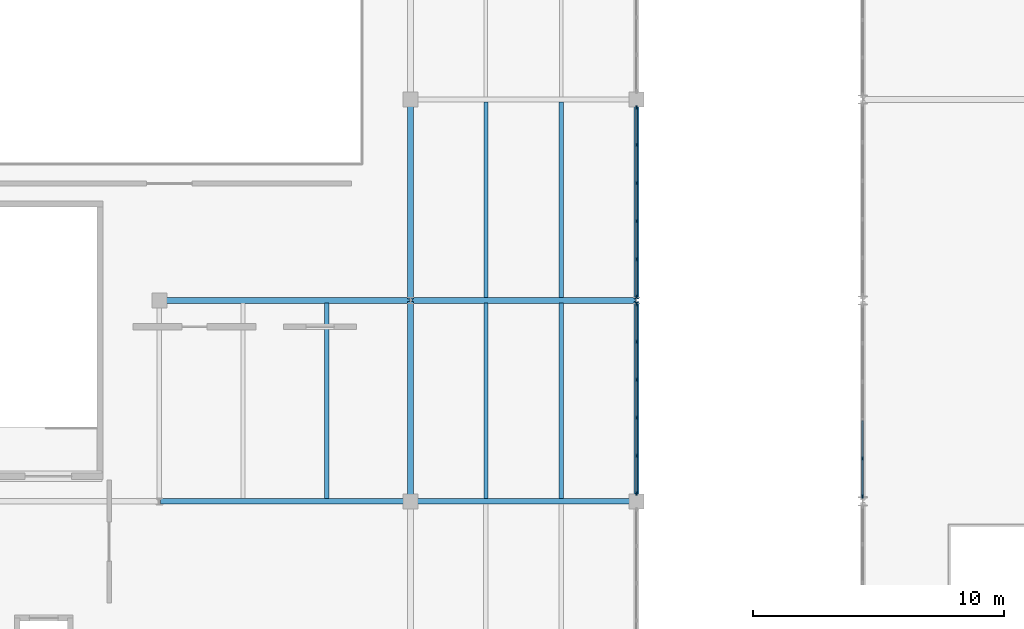
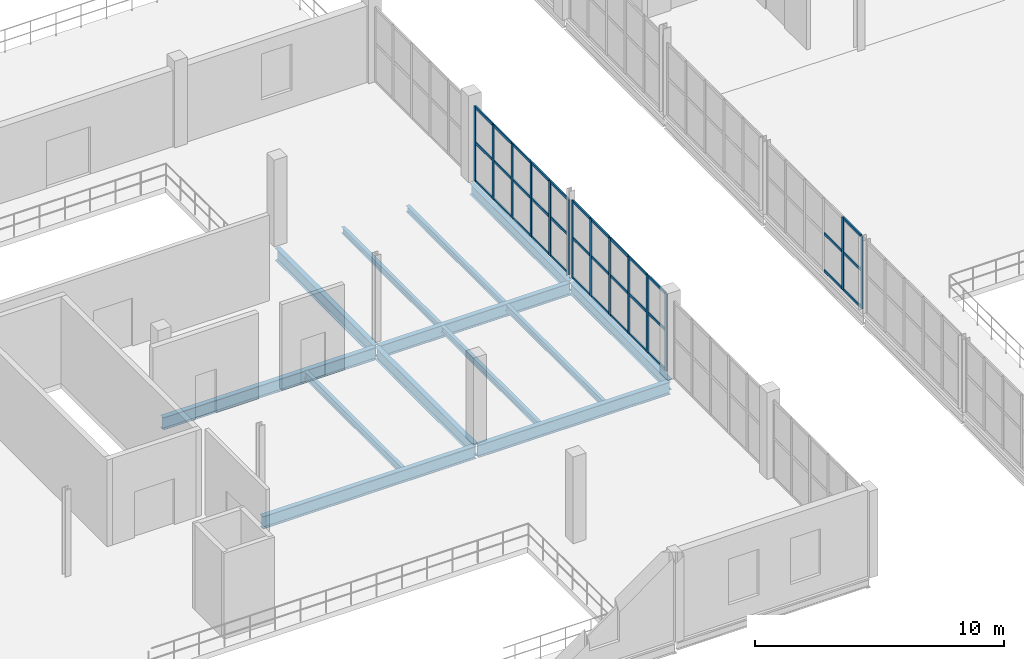
# One storey, part 16 of 73: 49 members, 13 beams, 3 elements without a shape of their own.
"""IFC4 building model written with IfcOpenShell, lengths in metres."""

import ifcopenshell
import ifcopenshell.guid

model = None  # the IFC model being written
_history = None  # IfcOwnerHistory: only IFC2X3 demands one
_inside = {}  # id of a spatial element -> (the spatial element, [elements in it])
_under = {}  # id of a project, library or spatial element -> (it, [spatial elements below it])
_declared = {}  # id of a project -> (the project, [libraries it declares])
_typed = {}  # id of a type object -> (the type object, [elements of that type])
_made_of = {}  # id of a material, layer set ... -> (it, [elements and type objects made of it])


def new_model(schema):
    """Start an empty IFC model of exactly this schema.

    Asked for "IFC4X3", IfcOpenShell would pick the latest addendum, in which some entities
    have other attributes; the version numbers below select the first issue.
    IFC2X3 requires an IfcOwnerHistory on every rooted entity: one is made here for all.
    """
    global model, _history
    if schema == "IFC4X3":
        model = ifcopenshell.file(schema_version=(4, 3, 0, 0))
    else:
        model = ifcopenshell.file(schema=schema)
    _inside.clear()
    _under.clear()
    _declared.clear()
    _typed.clear()
    _made_of.clear()
    _history = None
    if model.schema == "IFC2X3":
        org = make("IfcOrganization", Name="unknown")
        user = make(
            "IfcPersonAndOrganization",
            ThePerson=make("IfcPerson", FamilyName="unknown"),
            TheOrganization=org,
        )
        app = make(
            "IfcApplication",
            ApplicationDeveloper=org,
            Version="unknown",
            ApplicationFullName="unknown",
            ApplicationIdentifier="unknown",
        )
        _history = make(
            "IfcOwnerHistory",
            OwningUser=user,
            OwningApplication=app,
            ChangeAction="ADDED",
            CreationDate=0,
        )
    return model


def make(cls, **values):
    """One entity of the class cls with the attributes given. An attribute that is None is left unset."""
    return model.create_entity(
        cls, **{name: value for name, value in values.items() if value is not None}
    )


def rooted(cls, **values):
    """An entity with a GlobalId (a new one), such as an element, a storey or a relation."""
    return make(cls, GlobalId=ifcopenshell.guid.new(), OwnerHistory=_history, **values)


def si_unit(unit_type, name, prefix=None):
    """IfcSIUnit, for example si_unit("LENGTHUNIT", "METRE", prefix="MILLI")."""
    return make("IfcSIUnit", UnitType=unit_type, Prefix=prefix, Name=name)


def assignment(units):
    """IfcUnitAssignment: the units of a project."""
    return None if units is None else make("IfcUnitAssignment", Units=units)


def point(xyz):
    """IfcCartesianPoint."""
    return None if xyz is None else make("IfcCartesianPoint", Coordinates=xyz)


def direction(xyz):
    """IfcDirection."""
    return None if xyz is None else make("IfcDirection", DirectionRatios=xyz)


def frame(location, z_axis=None, x_axis=None):
    """IfcAxis2Placement3D, a coordinate frame: its origin and axes. An axis left out is left unset."""
    return make(
        "IfcAxis2Placement3D",
        Location=point(location),
        Axis=direction(z_axis),
        RefDirection=direction(x_axis),
    )


def frame_2d(location, x_axis=None):
    """IfcAxis2Placement2D, a coordinate frame in the plane: its origin and x axis."""
    return make(
        "IfcAxis2Placement2D", Location=point(location), RefDirection=direction(x_axis)
    )


def origin():
    """The frame at (0, 0, 0) with its axes left unset."""
    return frame((0.0, 0.0, 0.0))


def origin_2d():
    """The frame at (0, 0) in the plane with its x axis left unset."""
    return frame_2d((0.0, 0.0))


def place(relative_to, where):
    """IfcLocalPlacement: puts the frame where relative to a parent placement (None: the world)."""
    return make(
        "IfcLocalPlacement", PlacementRelTo=relative_to, RelativePlacement=where
    )


def context(
    kind, dimensions, precision=None, world=None, true_north=None, identifier=None
):
    """IfcGeometricRepresentationContext, for example the 3D "Model" context."""
    return make(
        "IfcGeometricRepresentationContext",
        ContextIdentifier=identifier,
        ContextType=kind,
        CoordinateSpaceDimension=dimensions,
        Precision=precision,
        WorldCoordinateSystem=world,
        TrueNorth=true_north,
    )


def subcontext(parent, identifier, kind, view, scale=None):
    """IfcGeometricRepresentationSubContext, for example "Body" below "Model"."""
    return make(
        "IfcGeometricRepresentationSubContext",
        ContextIdentifier=identifier,
        ContextType=kind,
        ParentContext=parent,
        TargetScale=scale,
        TargetView=view,
    )


def project(units=None, contexts=None):
    """IfcProject with its units and contexts."""
    return rooted(
        "IfcProject",
        Name="project",
        RepresentationContexts=contexts,
        UnitsInContext=assignment(units),
    )


def spatial(cls, under=None, at=None, **own):
    """A site, building, storey or space (cls), placed at a placement, below another one or the project."""
    s = rooted(cls, ObjectPlacement=at, **own)
    if under is not None:
        _under.setdefault(under.id(), (under, []))[1].append(s)
    return s


def profile(cls, at=None, kind="AREA", **sizes):
    """A parametric profile (cls). Its sizes go by their IFC names, for example OverallWidth=200.0."""
    return make(cls, ProfileType=kind, Position=at, **sizes)


def rectangle(**sizes):
    """IfcRectangleProfileDef."""
    return profile("IfcRectangleProfileDef", **sizes)


def i_section(**sizes):
    """IfcIShapeProfileDef."""
    return profile("IfcIShapeProfileDef", **sizes)


def extrude(swept, where, along, depth):
    """IfcExtrudedAreaSolid: the profile swept, set in the frame where, extruded along a direction by depth."""
    return make(
        "IfcExtrudedAreaSolid",
        SweptArea=swept,
        Position=where,
        ExtrudedDirection=direction(along),
        Depth=depth,
    )


def shape(context_of_items, identifier, shape_type, items):
    """IfcShapeRepresentation: the items that make up one representation, for example the "Body"."""
    return make(
        "IfcShapeRepresentation",
        ContextOfItems=context_of_items,
        RepresentationIdentifier=identifier,
        RepresentationType=shape_type,
        Items=items,
    )


def material(Name=None, Category=None):
    """IfcMaterial."""
    return make("IfcMaterial", Name=Name, Category=Category)


def layer(
    of_material, thickness, ventilated=None, Name=None, Category=None, Priority=None
):
    """IfcMaterialLayer: one layer of a wall or slab, of a material (None: an air gap)."""
    return make(
        "IfcMaterialLayer",
        Material=of_material,
        LayerThickness=thickness,
        IsVentilated=ventilated,
        Name=Name,
        Category=Category,
        Priority=Priority,
    )


def layer_set(layers, Name=None):
    """IfcMaterialLayerSet."""
    return make("IfcMaterialLayerSet", MaterialLayers=layers, LayerSetName=Name)


def material_profile(
    of_material, cross_section, Name=None, Category=None, Priority=None
):
    """IfcMaterialProfile: a cross section and its material."""
    return make(
        "IfcMaterialProfile",
        Name=Name,
        Material=of_material,
        Profile=cross_section,
        Priority=Priority,
        Category=Category,
    )


def profile_set(profiles, Name=None, composite=None):
    """IfcMaterialProfileSet."""
    return make(
        "IfcMaterialProfileSet",
        Name=Name,
        MaterialProfiles=profiles,
        CompositeProfile=composite,
    )


def made_of(thing, what):
    """Note that an element or type object is made of a material, layer set ...; save() writes the relation."""
    if what is not None:
        _made_of.setdefault(what.id(), (what, []))[1].append(thing)
    return thing


def type_object(cls, material=None, **own):
    """A type object (cls), such as IfcWallType, which elements share."""
    return made_of(rooted(cls, **own), material)


def element(
    cls,
    number,
    at=None,
    inside=None,
    cuts=None,
    type_object=None,
    material=None,
    context=None,
    identifier="Body",
    shape_type=None,
    held_by="IfcProductDefinitionShape",
    body=None,
    shapes=None,
    **own,
):
    """One element of the class cls, such as IfcWall. Its Tag is "e" and its number.

    at: its placement. inside: the storey or other place that contains it. cuts: it is an
    opening in that element (IfcRelVoidsElement). A single representation is given by context,
    identifier, shape_type and body (its items); several are given by shapes. held_by: the class
    of the entity that holds the representations. save() writes the other relations.
    """
    e = rooted(cls, Tag="e%d" % number, ObjectPlacement=at, **own)
    if body is not None:
        shapes = [shape(context, identifier, shape_type, body)]
    if shapes is not None:
        e.Representation = make(held_by, Representations=shapes)
    if inside is not None:
        _inside.setdefault(inside.id(), (inside, []))[1].append(e)
    if cuts is not None:
        rooted(
            "IfcRelVoidsElement", RelatingBuildingElement=cuts, RelatedOpeningElement=e
        )
    if type_object is not None:
        _typed.setdefault(type_object.id(), (type_object, []))[1].append(e)
    return made_of(e, material)


def aggregate(whole, parts):
    """IfcRelAggregates: a whole, such as a stair, and the parts it consists of."""
    return rooted("IfcRelAggregates", RelatingObject=whole, RelatedObjects=parts)


def save(model, path):
    """Write the relations noted so far, then the file.

    IfcRelAggregates (storeys below a building ...), IfcRelContainedInSpatialStructure (elements
    in a storey), IfcRelDefinesByType, IfcRelAssociatesMaterial and IfcRelDeclares: one each for
    every whole, place, type object, material and project.
    """
    for whole, parts in _under.values():
        aggregate(whole, parts)
    for where, things in _inside.values():
        rooted(
            "IfcRelContainedInSpatialStructure",
            RelatedElements=things,
            RelatingStructure=where,
        )
    for kind, things in _typed.values():
        rooted("IfcRelDefinesByType", RelatedObjects=things, RelatingType=kind)
    for what, things in _made_of.values():
        rooted("IfcRelAssociatesMaterial", RelatedObjects=things, RelatingMaterial=what)
    for by, libraries in _declared.values():
        rooted("IfcRelDeclares", RelatingContext=by, RelatedDefinitions=libraries)
    model.write(path)


model = new_model("IFC4")

# Units and contexts
model_context = context("Model", 3, precision=1e-05, world=origin(), true_north=direction((0.0, 1.0)))
body_context = subcontext(model_context, "Body", "Model", "MODEL_VIEW")
ifc_project = project(units=[si_unit("LENGTHUNIT", "METRE"), si_unit("AREAUNIT", "SQUARE_METRE"), si_unit("VOLUMEUNIT", "CUBIC_METRE"), si_unit("PLANEANGLEUNIT", "RADIAN"), si_unit("MASSUNIT", "GRAM", prefix="KILO")], contexts=[model_context])

# Site, building, storey
site_placement = place(None, origin())
site = spatial("IfcSite", under=ifc_project, at=site_placement, CompositionType="ELEMENT")
building_placement = place(site_placement, origin())
building = spatial("IfcBuilding", under=site, at=building_placement, Name="Marnock Terrace Opera House", CompositionType="ELEMENT")
storey_placement = place(building_placement, frame((0.0, 0.0, 14.699951171875)))
storey = spatial("IfcBuildingStorey", under=building, at=storey_placement, Name="L03", CompositionType="ELEMENT", Elevation=14.699951171875)

# Beams
ifc_material_1 = material(Name="Steel Grade 350 (AS/NZS 3679.1)", Category="steel")
ifc_material_profile_1 = material_profile(ifc_material_1, i_section(OverallWidth=0.208984375, OverallDepth=0.528076171875, WebThickness=0.009521484375, FlangeThickness=0.01318359375, FilletRadius=0.013916015625, at=origin_2d()))
ifc_profile_set_1 = profile_set([ifc_material_profile_1], Name="Steel Grade 350 (AS/NZS 3679.1)")
beam_type_1 = type_object("IfcBeamType", Name="BM-GIRD-530B", PredefinedType="BEAM", material=ifc_profile_set_1)
for number, where, z_axis, x_axis, name in (
    (1, (46.0, 24.050048828125, -0.52392578125), (0.0, 1.0, 0.0), (-1.0, 0.0, 0.0), "L03 girder (X=46.0, 24.0..32.0)"),
    (2, (46.0, 32.050048828125, -0.52392578125), (0.0, 1.0, 0.0), (-1.0, 0.0, 0.0), "L03 girder (X=46.0, 32.0..40.0)"),
):
    element("IfcBeam", number, at=place(storey_placement, frame(where, z_axis=z_axis, x_axis=x_axis)), inside=storey, type_object=beam_type_1, Name=name, PredefinedType="BEAM", context=body_context, shape_type="SweptSolid", body=[
        extrude(i_section(OverallWidth=0.208984375, OverallDepth=0.528076171875, WebThickness=0.009521484375, FlangeThickness=0.01318359375, FilletRadius=0.013916015625, at=origin_2d()), origin(), (0.0, 0.0, 1.0), 7.89990234375),
    ])
ifc_material_profile_2 = material_profile(ifc_material_1, i_section(OverallWidth=0.22900390625, OverallDepth=0.611572265625, WebThickness=0.011962890625, FlangeThickness=0.01953125, FilletRadius=0.013916015625, at=origin_2d()))
ifc_profile_set_2 = profile_set([ifc_material_profile_2], Name="Steel Grade 350 (AS/NZS 3679.1)")
beam_type_2 = type_object("IfcBeamType", Name="BM-GIRD-610A", PredefinedType="BEAM", material=ifc_profile_set_2)
beam_1_placement = place(storey_placement, frame((27.050048828125, 24.0, -0.565673828125), z_axis=(1.0, 0.0, 0.0), x_axis=(0.0, 1.0, 0.0)))
element("IfcBeam", 3, at=beam_1_placement, inside=storey, type_object=beam_type_2, Name="L03 girder (27.0..37.0, Y=24.0)", PredefinedType="BEAM", context=body_context, shape_type="SweptSolid", body=[
    extrude(i_section(OverallWidth=0.22900390625, OverallDepth=0.611572265625, WebThickness=0.011962890625, FlangeThickness=0.01953125, FilletRadius=0.013916015625, at=origin_2d()), origin(), (0.0, 0.0, 1.0), 9.89990234375),
])
beam_2_placement = place(storey_placement, frame((37.050048828125, 24.0, -0.565673828125), z_axis=(1.0, 0.0, 0.0), x_axis=(0.0, 1.0, 0.0)))
element("IfcBeam", 4, at=beam_2_placement, inside=storey, type_object=beam_type_2, Name="L03 girder (37.0..46.0, Y=24.0)", PredefinedType="BEAM", context=body_context, shape_type="SweptSolid", body=[
    extrude(i_section(OverallWidth=0.22900390625, OverallDepth=0.611572265625, WebThickness=0.011962890625, FlangeThickness=0.01953125, FilletRadius=0.013916015625, at=origin_2d()), origin(), (0.0, 0.0, 1.0), 8.89990234375),
])
ifc_material_profile_3 = material_profile(ifc_material_1, i_section(OverallWidth=0.22802734375, OverallDepth=0.60693359375, WebThickness=0.01123046875, FlangeThickness=0.017333984375, FilletRadius=0.013916015625, at=origin_2d()))
ifc_profile_set_3 = profile_set([ifc_material_profile_3], Name="Steel Grade 350 (AS/NZS 3679.1)")
beam_type_3 = type_object("IfcBeamType", Name="BM-GIRD-610B", PredefinedType="BEAM", material=ifc_profile_set_3)
beam_3_placement = place(storey_placement, frame((27.050048828125, 32.0, -0.5634765625), z_axis=(1.0, 0.0, 0.0), x_axis=(0.0, 1.0, 0.0)))
element("IfcBeam", 5, at=beam_3_placement, inside=storey, type_object=beam_type_3, Name="L03 girder (27.0..37.0, Y=32.0)", PredefinedType="BEAM", context=body_context, shape_type="SweptSolid", body=[
    extrude(i_section(OverallWidth=0.22802734375, OverallDepth=0.60693359375, WebThickness=0.01123046875, FlangeThickness=0.017333984375, FilletRadius=0.013916015625, at=origin_2d()), origin(), (0.0, 0.0, 1.0), 9.89990234375),
])
beam_4_placement = place(storey_placement, frame((37.050048828125, 32.0, -0.5634765625), z_axis=(1.0, 0.0, 0.0), x_axis=(0.0, 1.0, 0.0)))
element("IfcBeam", 6, at=beam_4_placement, inside=storey, type_object=beam_type_3, Name="L03 girder (37.0..46.0, Y=32.0)", PredefinedType="BEAM", context=body_context, shape_type="SweptSolid", body=[
    extrude(i_section(OverallWidth=0.22802734375, OverallDepth=0.60693359375, WebThickness=0.01123046875, FlangeThickness=0.017333984375, FilletRadius=0.013916015625, at=origin_2d()), origin(), (0.0, 0.0, 1.0), 8.89990234375),
])
ifc_material_profile_4 = material_profile(ifc_material_1, i_section(OverallWidth=0.22802734375, OverallDepth=0.60205078125, WebThickness=0.010498046875, FlangeThickness=0.014892578125, FilletRadius=0.013916015625, at=origin_2d()))
ifc_profile_set_4 = profile_set([ifc_material_profile_4], Name="Steel Grade 350 (AS/NZS 3679.1)")
beam_type_4 = type_object("IfcBeamType", Name="BM-GIRD-610C", PredefinedType="BEAM", material=ifc_profile_set_4)
for number, where, z_axis, x_axis, name in (
    (7, (37.0, 24.050048828125, -0.56103515625), (0.0, 1.0, 0.0), (-1.0, 0.0, 0.0), "L03 girder (X=37.0, 24.0..32.0)"),
    (8, (37.0, 32.050048828125, -0.56103515625), (0.0, 1.0, 0.0), (-1.0, 0.0, 0.0), "L03 girder (X=37.0, 32.0..40.0)"),
):
    element("IfcBeam", number, at=place(storey_placement, frame(where, z_axis=z_axis, x_axis=x_axis)), inside=storey, type_object=beam_type_4, Name=name, PredefinedType="BEAM", context=body_context, shape_type="SweptSolid", body=[
        extrude(i_section(OverallWidth=0.22802734375, OverallDepth=0.60205078125, WebThickness=0.010498046875, FlangeThickness=0.014892578125, FilletRadius=0.013916015625, at=origin_2d()), origin(), (0.0, 0.0, 1.0), 7.89990234375),
    ])
ifc_material_profile_5 = material_profile(ifc_material_1, i_section(OverallWidth=0.166015625, OverallDepth=0.30712890625, WebThickness=0.006591796875, FlangeThickness=0.01171875, FilletRadius=0.011474609375, at=origin_2d()))
ifc_profile_set_5 = profile_set([ifc_material_profile_5], Name="Steel Grade 350 (AS/NZS 3679.1)")
beam_type_5 = type_object("IfcBeamType", Name="BM-JOIST-310A", PredefinedType="JOIST", material=ifc_profile_set_5)
for number, where, z_axis, x_axis, name in (
    (9, (40.0, 24.109619140625, -0.41357421875), (0.0, 1.0, 0.0), (-1.0, 0.0, 0.0), "L03 secondary joist 4.3.1"),
    (10, (43.0, 24.109619140625, -0.41357421875), (0.0, 1.0, 0.0), (-1.0, 0.0, 0.0), "L03 secondary joist 4.3.2"),
):
    element("IfcBeam", number, at=place(storey_placement, frame(where, z_axis=z_axis, x_axis=x_axis)), inside=storey, type_object=beam_type_5, Name=name, PredefinedType="JOIST", context=body_context, shape_type="SweptSolid", body=[
        extrude(i_section(OverallWidth=0.166015625, OverallDepth=0.30712890625, WebThickness=0.006591796875, FlangeThickness=0.01171875, FilletRadius=0.011474609375, at=origin_2d()), origin(), (0.0, 0.0, 1.0), 7.781494140625),
    ])
ifc_material_profile_6 = material_profile(ifc_material_1, i_section(OverallWidth=0.1650390625, OverallDepth=0.3037109375, WebThickness=0.006103515625, FlangeThickness=0.01025390625, FilletRadius=0.011474609375, at=origin_2d()))
ifc_profile_set_6 = profile_set([ifc_material_profile_6], Name="Steel Grade 350 (AS/NZS 3679.1)")
beam_type_6 = type_object("IfcBeamType", Name="BM-JOIST-310B", PredefinedType="JOIST", material=ifc_profile_set_6)
for number, where, z_axis, x_axis, name in (
    (11, (40.0, 32.10888671875, -0.411865234375), (0.0, 1.0, 0.0), (-1.0, 0.0, 0.0), "L03 secondary joist 4.4.1"),
    (12, (43.0, 32.10888671875, -0.411865234375), (0.0, 1.0, 0.0), (-1.0, 0.0, 0.0), "L03 secondary joist 4.4.2"),
):
    element("IfcBeam", number, at=place(storey_placement, frame(where, z_axis=z_axis, x_axis=x_axis)), inside=storey, type_object=beam_type_6, Name=name, PredefinedType="JOIST", context=body_context, shape_type="SweptSolid", body=[
        extrude(i_section(OverallWidth=0.1650390625, OverallDepth=0.3037109375, WebThickness=0.006103515625, FlangeThickness=0.01025390625, FilletRadius=0.011474609375, at=origin_2d()), origin(), (0.0, 0.0, 1.0), 7.79150390625),
    ])
ifc_material_profile_7 = material_profile(ifc_material_1, i_section(OverallWidth=0.172119140625, OverallDepth=0.358642578125, WebThickness=0.008056640625, FlangeThickness=0.012939453125, FilletRadius=0.011474609375, at=origin_2d()))
ifc_profile_set_7 = profile_set([ifc_material_profile_7], Name="Steel Grade 350 (AS/NZS 3679.1)")
beam_type_7 = type_object("IfcBeamType", Name="BM-JOIST-360", PredefinedType="JOIST", material=ifc_profile_set_7)
beam_5_placement = place(storey_placement, frame((33.666748046875, 24.109619140625, -0.439208984375), z_axis=(0.0, 1.0, 0.0), x_axis=(-1.0, 0.0, 0.0)))
element("IfcBeam", 13, at=beam_5_placement, inside=storey, type_object=beam_type_7, Name="L03 secondary joist 3.3.2", PredefinedType="JOIST", context=body_context, shape_type="SweptSolid", body=[
    extrude(i_section(OverallWidth=0.172119140625, OverallDepth=0.358642578125, WebThickness=0.008056640625, FlangeThickness=0.012939453125, FilletRadius=0.011474609375, at=origin_2d()), origin(), (0.0, 0.0, 1.0), 7.781494140625),
])

# Curtain wall, members
ifc_material_2 = material(Name="Anodised architectural bronze aluminium framing", Category="aluminium")
ifc_layer_1 = layer(ifc_material_2, 0.159912109375)
ifc_layer_set_1 = layer_set([ifc_layer_1], Name="Anodised architectural bronze aluminium framing")
curtain_wall_type_1 = type_object("IfcCurtainWallType", Name="CW-FOYER-80x42", PredefinedType="NOTDEFINED", material=ifc_layer_set_1)
curtain_wall_1_placement = place(storey_placement, origin())
curtain_wall_1 = element("IfcCurtainWall", 14, at=curtain_wall_1_placement, inside=storey, type_object=curtain_wall_type_1, Name="L03 glazed Beaux-Arts colonnade curtain wall CW-V1W-L03-03", PredefinedType="NOTDEFINED")
ifc_material_profile_8 = material_profile(ifc_material_2, rectangle(XDim=0.06005859375, YDim=0.14990234375, at=origin_2d()))
ifc_profile_set_8 = profile_set([ifc_material_profile_8], Name="Anodised architectural bronze aluminium framing")
member_type_1 = type_object("IfcMemberType", Name="CWM-60x150", PredefinedType="MULLION", material=ifc_profile_set_8)
member_1_placement = place(storey_placement, frame((55.0, 24.200927734375, 0.0), z_axis=(0.0, 0.0, 1.0), x_axis=(-1.0, 0.0, 0.0)))
member_1 = element("IfcMember", 15, at=member_1_placement, type_object=member_type_1, Name="CW-62 mullion 1", PredefinedType="MULLION", context=body_context, shape_type="SweptSolid", body=[
    extrude(rectangle(XDim=0.06005859375, YDim=0.14990234375, at=origin_2d()), origin(), (0.0, 0.0, 1.0), 3.546142578125),
])
member_2_placement = place(storey_placement, frame((55.0, 25.70263671875, 0.0), z_axis=(0.0, 0.0, 1.0), x_axis=(-1.0, 0.0, 0.0)))
member_2 = element("IfcMember", 16, at=member_2_placement, type_object=member_type_1, Name="CW-62 mullion 2", PredefinedType="MULLION", context=body_context, shape_type="SweptSolid", body=[
    extrude(rectangle(XDim=0.06005859375, YDim=0.14990234375, at=origin_2d()), origin(), (0.0, 0.0, 1.0), 3.546142578125),
])

ifc_layer_2 = layer(ifc_material_2, 0.159912109375)
ifc_layer_set_2 = layer_set([ifc_layer_2], Name="Anodised architectural bronze aluminium framing")
curtain_wall_type_2 = type_object("IfcCurtainWallType", Name="CW-COURT-80x42", PredefinedType="NOTDEFINED", material=ifc_layer_set_2)
curtain_wall_2_placement = place(storey_placement, origin())
curtain_wall_2 = element("IfcCurtainWall", 17, at=curtain_wall_2_placement, inside=storey, type_object=curtain_wall_type_2, Name="L03 glazed Beaux-Arts colonnade curtain wall CW-V3E-L03-03", PredefinedType="NOTDEFINED")
member_3_placement = place(storey_placement, frame((46.0, 24.325927734375, 0.0), z_axis=(0.0, 0.0, 1.0), x_axis=(-1.0, 0.0, 0.0)))
member_3 = element("IfcMember", 18, at=member_3_placement, type_object=member_type_1, Name="CW-12 mullion 1", PredefinedType="MULLION", context=body_context, shape_type="SweptSolid", body=[
    extrude(rectangle(XDim=0.06005859375, YDim=0.14990234375, at=origin_2d()), origin(), (0.0, 0.0, 1.0), 3.804443359375),
])
member_4_placement = place(storey_placement, frame((46.0, 25.8115234375, 0.0), z_axis=(0.0, 0.0, 1.0), x_axis=(-1.0, 0.0, 0.0)))
member_4 = element("IfcMember", 19, at=member_4_placement, type_object=member_type_1, Name="CW-12 mullion 2", PredefinedType="MULLION", context=body_context, shape_type="SweptSolid", body=[
    extrude(rectangle(XDim=0.06005859375, YDim=0.14990234375, at=origin_2d()), origin(), (0.0, 0.0, 1.0), 3.804443359375),
])
member_5_placement = place(storey_placement, frame((46.0, 27.3271484375, 0.0), z_axis=(0.0, 0.0, 1.0), x_axis=(-1.0, 0.0, 0.0)))
member_5 = element("IfcMember", 20, at=member_5_placement, type_object=member_type_1, Name="CW-12 mullion 3", PredefinedType="MULLION", context=body_context, shape_type="SweptSolid", body=[
    extrude(rectangle(XDim=0.06005859375, YDim=0.14990234375, at=origin_2d()), origin(), (0.0, 0.0, 1.0), 3.804443359375),
])
member_6_placement = place(storey_placement, frame((46.0, 28.8427734375, 0.0), z_axis=(0.0, 0.0, 1.0), x_axis=(-1.0, 0.0, 0.0)))
member_6 = element("IfcMember", 21, at=member_6_placement, type_object=member_type_1, Name="CW-12 mullion 4", PredefinedType="MULLION", context=body_context, shape_type="SweptSolid", body=[
    extrude(rectangle(XDim=0.06005859375, YDim=0.14990234375, at=origin_2d()), origin(), (0.0, 0.0, 1.0), 3.804443359375),
])
member_7_placement = place(storey_placement, frame((46.0, 30.3583984375, 0.0), z_axis=(0.0, 0.0, 1.0), x_axis=(-1.0, 0.0, 0.0)))
member_7 = element("IfcMember", 22, at=member_7_placement, type_object=member_type_1, Name="CW-12 mullion 5", PredefinedType="MULLION", context=body_context, shape_type="SweptSolid", body=[
    extrude(rectangle(XDim=0.06005859375, YDim=0.14990234375, at=origin_2d()), origin(), (0.0, 0.0, 1.0), 3.804443359375),
])
member_8_placement = place(storey_placement, frame((46.0, 31.843994140625, 0.0), z_axis=(0.0, 0.0, 1.0), x_axis=(-1.0, 0.0, 0.0)))
member_8 = element("IfcMember", 23, at=member_8_placement, type_object=member_type_1, Name="CW-12 mullion 6", PredefinedType="MULLION", context=body_context, shape_type="SweptSolid", body=[
    extrude(rectangle(XDim=0.06005859375, YDim=0.14990234375, at=origin_2d()), origin(), (0.0, 0.0, 1.0), 3.804443359375),
])

curtain_wall_3_placement = place(storey_placement, origin())
curtain_wall_3 = element("IfcCurtainWall", 24, at=curtain_wall_3_placement, inside=storey, type_object=curtain_wall_type_2, Name="L03 glazed Beaux-Arts colonnade curtain wall CW-V3E-L03-04", PredefinedType="NOTDEFINED")
member_9_placement = place(storey_placement, frame((46.0, 32.156005859375, 0.0), z_axis=(0.0, 0.0, 1.0), x_axis=(-1.0, 0.0, 0.0)))
member_9 = element("IfcMember", 25, at=member_9_placement, type_object=member_type_1, Name="CW-12 mullion 1", PredefinedType="MULLION", context=body_context, shape_type="SweptSolid", body=[
    extrude(rectangle(XDim=0.06005859375, YDim=0.14990234375, at=origin_2d()), origin(), (0.0, 0.0, 1.0), 3.672119140625),
])
member_10_placement = place(storey_placement, frame((46.0, 33.6416015625, 0.0), z_axis=(0.0, 0.0, 1.0), x_axis=(-1.0, 0.0, 0.0)))
member_10 = element("IfcMember", 26, at=member_10_placement, type_object=member_type_1, Name="CW-12 mullion 2", PredefinedType="MULLION", context=body_context, shape_type="SweptSolid", body=[
    extrude(rectangle(XDim=0.06005859375, YDim=0.14990234375, at=origin_2d()), origin(), (0.0, 0.0, 1.0), 3.672119140625),
])
member_11_placement = place(storey_placement, frame((46.0, 35.1572265625, 0.0), z_axis=(0.0, 0.0, 1.0), x_axis=(-1.0, 0.0, 0.0)))
member_11 = element("IfcMember", 27, at=member_11_placement, type_object=member_type_1, Name="CW-12 mullion 3", PredefinedType="MULLION", context=body_context, shape_type="SweptSolid", body=[
    extrude(rectangle(XDim=0.06005859375, YDim=0.14990234375, at=origin_2d()), origin(), (0.0, 0.0, 1.0), 3.672119140625),
])
member_12_placement = place(storey_placement, frame((46.0, 36.6728515625, 0.0), z_axis=(0.0, 0.0, 1.0), x_axis=(-1.0, 0.0, 0.0)))
member_12 = element("IfcMember", 28, at=member_12_placement, type_object=member_type_1, Name="CW-12 mullion 4", PredefinedType="MULLION", context=body_context, shape_type="SweptSolid", body=[
    extrude(rectangle(XDim=0.06005859375, YDim=0.14990234375, at=origin_2d()), origin(), (0.0, 0.0, 1.0), 3.672119140625),
])
member_13_placement = place(storey_placement, frame((46.0, 38.1884765625, 0.0), z_axis=(0.0, 0.0, 1.0), x_axis=(-1.0, 0.0, 0.0)))
member_13 = element("IfcMember", 29, at=member_13_placement, type_object=member_type_1, Name="CW-12 mullion 5", PredefinedType="MULLION", context=body_context, shape_type="SweptSolid", body=[
    extrude(rectangle(XDim=0.06005859375, YDim=0.14990234375, at=origin_2d()), origin(), (0.0, 0.0, 1.0), 3.672119140625),
])
member_14_placement = place(storey_placement, frame((46.0, 39.674072265625, 0.0), z_axis=(0.0, 0.0, 1.0), x_axis=(-1.0, 0.0, 0.0)))
member_14 = element("IfcMember", 30, at=member_14_placement, type_object=member_type_1, Name="CW-12 mullion 6", PredefinedType="MULLION", context=body_context, shape_type="SweptSolid", body=[
    extrude(rectangle(XDim=0.06005859375, YDim=0.14990234375, at=origin_2d()), origin(), (0.0, 0.0, 1.0), 3.672119140625),
])

# Member
ifc_material_profile_9 = material_profile(ifc_material_2, rectangle(XDim=0.06005859375, YDim=0.1298828125, at=origin_2d()))
ifc_profile_set_9 = profile_set([ifc_material_profile_9], Name="Anodised architectural bronze aluminium framing")
member_type_2 = type_object("IfcMemberType", Name="CWT-60x130", PredefinedType="USERDEFINED", material=ifc_profile_set_9)
member_15_placement = place(storey_placement, frame((55.0, 24.23095703125, 0.030029296875), z_axis=(0.0, 1.0, 0.0), x_axis=(-1.0, 0.0, 0.0)))
member_15 = element("IfcMember", 31, at=member_15_placement, type_object=member_type_2, Name="CW-62 transom 1.1", ObjectType="TRANSOM", PredefinedType="USERDEFINED", context=body_context, shape_type="SweptSolid", body=[
    extrude(rectangle(XDim=0.06005859375, YDim=0.1298828125, at=origin_2d()), origin(), (0.0, 0.0, 1.0), 1.441650390625),
])

member_16_placement = place(storey_placement, frame((55.0, 24.23095703125, 1.843994140625), z_axis=(0.0, 1.0, 0.0), x_axis=(-1.0, 0.0, 0.0)))
member_16 = element("IfcMember", 32, at=member_16_placement, type_object=member_type_2, Name="CW-62 transom 1.2", ObjectType="TRANSOM", PredefinedType="USERDEFINED", context=body_context, shape_type="SweptSolid", body=[
    extrude(rectangle(XDim=0.06005859375, YDim=0.1298828125, at=origin_2d()), origin(), (0.0, 0.0, 1.0), 1.441650390625),
])

member_17_placement = place(storey_placement, frame((55.0, 24.23095703125, 3.51611328125), z_axis=(0.0, 1.0, 0.0), x_axis=(-1.0, 0.0, 0.0)))
member_17 = element("IfcMember", 33, at=member_17_placement, type_object=member_type_2, Name="CW-62 transom 1.3", ObjectType="TRANSOM", PredefinedType="USERDEFINED", context=body_context, shape_type="SweptSolid", body=[
    extrude(rectangle(XDim=0.06005859375, YDim=0.1298828125, at=origin_2d()), origin(), (0.0, 0.0, 1.0), 1.441650390625),
])

member_18_placement = place(storey_placement, frame((55.0, 25.732666015625, 0.030029296875), z_axis=(0.0, 1.0, 0.0), x_axis=(-1.0, 0.0, 0.0)))
member_18 = element("IfcMember", 34, at=member_18_placement, type_object=member_type_2, Name="CW-62 transom 2.1", ObjectType="TRANSOM", PredefinedType="USERDEFINED", context=body_context, shape_type="SweptSolid", body=[
    extrude(rectangle(XDim=0.06005859375, YDim=0.1298828125, at=origin_2d()), origin(), (0.0, 0.0, 1.0), 1.471435546875),
])

member_19_placement = place(storey_placement, frame((55.0, 25.732666015625, 1.843994140625), z_axis=(0.0, 1.0, 0.0), x_axis=(-1.0, 0.0, 0.0)))
member_19 = element("IfcMember", 35, at=member_19_placement, type_object=member_type_2, Name="CW-62 transom 2.2", ObjectType="TRANSOM", PredefinedType="USERDEFINED", context=body_context, shape_type="SweptSolid", body=[
    extrude(rectangle(XDim=0.06005859375, YDim=0.1298828125, at=origin_2d()), origin(), (0.0, 0.0, 1.0), 1.471435546875),
])

aggregate(curtain_wall_1, [member_1, member_2, member_15, member_16, member_17, member_18, member_19])

member_20_placement = place(storey_placement, frame((46.0, 24.35595703125, 0.030029296875), z_axis=(0.0, 1.0, 0.0), x_axis=(-1.0, 0.0, 0.0)))
member_20 = element("IfcMember", 36, at=member_20_placement, type_object=member_type_2, Name="CW-12 transom 1.1", ObjectType="TRANSOM", PredefinedType="USERDEFINED", context=body_context, shape_type="SweptSolid", body=[
    extrude(rectangle(XDim=0.06005859375, YDim=0.1298828125, at=origin_2d()), origin(), (0.0, 0.0, 1.0), 1.425537109375),
])

member_21_placement = place(storey_placement, frame((46.0, 24.35595703125, 1.978271484375), z_axis=(0.0, 1.0, 0.0), x_axis=(-1.0, 0.0, 0.0)))
member_21 = element("IfcMember", 37, at=member_21_placement, type_object=member_type_2, Name="CW-12 transom 1.2", ObjectType="TRANSOM", PredefinedType="USERDEFINED", context=body_context, shape_type="SweptSolid", body=[
    extrude(rectangle(XDim=0.06005859375, YDim=0.1298828125, at=origin_2d()), origin(), (0.0, 0.0, 1.0), 1.425537109375),
])

member_22_placement = place(storey_placement, frame((46.0, 24.35595703125, 3.774658203125), z_axis=(0.0, 1.0, 0.0), x_axis=(-1.0, 0.0, 0.0)))
member_22 = element("IfcMember", 38, at=member_22_placement, type_object=member_type_2, Name="CW-12 transom 1.3", ObjectType="TRANSOM", PredefinedType="USERDEFINED", context=body_context, shape_type="SweptSolid", body=[
    extrude(rectangle(XDim=0.06005859375, YDim=0.1298828125, at=origin_2d()), origin(), (0.0, 0.0, 1.0), 1.425537109375),
])

member_23_placement = place(storey_placement, frame((46.0, 25.841552734375, 0.030029296875), z_axis=(0.0, 1.0, 0.0), x_axis=(-1.0, 0.0, 0.0)))
member_23 = element("IfcMember", 39, at=member_23_placement, type_object=member_type_2, Name="CW-12 transom 2.1", ObjectType="TRANSOM", PredefinedType="USERDEFINED", context=body_context, shape_type="SweptSolid", body=[
    extrude(rectangle(XDim=0.06005859375, YDim=0.1298828125, at=origin_2d()), origin(), (0.0, 0.0, 1.0), 1.45556640625),
])

member_24_placement = place(storey_placement, frame((46.0, 25.841552734375, 1.978271484375), z_axis=(0.0, 1.0, 0.0), x_axis=(-1.0, 0.0, 0.0)))
member_24 = element("IfcMember", 40, at=member_24_placement, type_object=member_type_2, Name="CW-12 transom 2.2", ObjectType="TRANSOM", PredefinedType="USERDEFINED", context=body_context, shape_type="SweptSolid", body=[
    extrude(rectangle(XDim=0.06005859375, YDim=0.1298828125, at=origin_2d()), origin(), (0.0, 0.0, 1.0), 1.45556640625),
])

member_25_placement = place(storey_placement, frame((46.0, 25.841552734375, 3.774658203125), z_axis=(0.0, 1.0, 0.0), x_axis=(-1.0, 0.0, 0.0)))
member_25 = element("IfcMember", 41, at=member_25_placement, type_object=member_type_2, Name="CW-12 transom 2.3", ObjectType="TRANSOM", PredefinedType="USERDEFINED", context=body_context, shape_type="SweptSolid", body=[
    extrude(rectangle(XDim=0.06005859375, YDim=0.1298828125, at=origin_2d()), origin(), (0.0, 0.0, 1.0), 1.45556640625),
])

member_26_placement = place(storey_placement, frame((46.0, 27.357177734375, 0.030029296875), z_axis=(0.0, 1.0, 0.0), x_axis=(-1.0, 0.0, 0.0)))
member_26 = element("IfcMember", 42, at=member_26_placement, type_object=member_type_2, Name="CW-12 transom 3.1", ObjectType="TRANSOM", PredefinedType="USERDEFINED", context=body_context, shape_type="SweptSolid", body=[
    extrude(rectangle(XDim=0.06005859375, YDim=0.1298828125, at=origin_2d()), origin(), (0.0, 0.0, 1.0), 1.45556640625),
])

member_27_placement = place(storey_placement, frame((46.0, 27.357177734375, 1.978271484375), z_axis=(0.0, 1.0, 0.0), x_axis=(-1.0, 0.0, 0.0)))
member_27 = element("IfcMember", 43, at=member_27_placement, type_object=member_type_2, Name="CW-12 transom 3.2", ObjectType="TRANSOM", PredefinedType="USERDEFINED", context=body_context, shape_type="SweptSolid", body=[
    extrude(rectangle(XDim=0.06005859375, YDim=0.1298828125, at=origin_2d()), origin(), (0.0, 0.0, 1.0), 1.45556640625),
])

member_28_placement = place(storey_placement, frame((46.0, 27.357177734375, 3.774658203125), z_axis=(0.0, 1.0, 0.0), x_axis=(-1.0, 0.0, 0.0)))
member_28 = element("IfcMember", 44, at=member_28_placement, type_object=member_type_2, Name="CW-12 transom 3.3", ObjectType="TRANSOM", PredefinedType="USERDEFINED", context=body_context, shape_type="SweptSolid", body=[
    extrude(rectangle(XDim=0.06005859375, YDim=0.1298828125, at=origin_2d()), origin(), (0.0, 0.0, 1.0), 1.45556640625),
])

member_29_placement = place(storey_placement, frame((46.0, 28.872802734375, 0.030029296875), z_axis=(0.0, 1.0, 0.0), x_axis=(-1.0, 0.0, 0.0)))
member_29 = element("IfcMember", 45, at=member_29_placement, type_object=member_type_2, Name="CW-12 transom 4.1", ObjectType="TRANSOM", PredefinedType="USERDEFINED", context=body_context, shape_type="SweptSolid", body=[
    extrude(rectangle(XDim=0.06005859375, YDim=0.1298828125, at=origin_2d()), origin(), (0.0, 0.0, 1.0), 1.45556640625),
])

member_30_placement = place(storey_placement, frame((46.0, 28.872802734375, 1.978271484375), z_axis=(0.0, 1.0, 0.0), x_axis=(-1.0, 0.0, 0.0)))
member_30 = element("IfcMember", 46, at=member_30_placement, type_object=member_type_2, Name="CW-12 transom 4.2", ObjectType="TRANSOM", PredefinedType="USERDEFINED", context=body_context, shape_type="SweptSolid", body=[
    extrude(rectangle(XDim=0.06005859375, YDim=0.1298828125, at=origin_2d()), origin(), (0.0, 0.0, 1.0), 1.45556640625),
])

member_31_placement = place(storey_placement, frame((46.0, 28.872802734375, 3.774658203125), z_axis=(0.0, 1.0, 0.0), x_axis=(-1.0, 0.0, 0.0)))
member_31 = element("IfcMember", 47, at=member_31_placement, type_object=member_type_2, Name="CW-12 transom 4.3", ObjectType="TRANSOM", PredefinedType="USERDEFINED", context=body_context, shape_type="SweptSolid", body=[
    extrude(rectangle(XDim=0.06005859375, YDim=0.1298828125, at=origin_2d()), origin(), (0.0, 0.0, 1.0), 1.45556640625),
])

member_32_placement = place(storey_placement, frame((46.0, 30.388427734375, 0.030029296875), z_axis=(0.0, 1.0, 0.0), x_axis=(-1.0, 0.0, 0.0)))
member_32 = element("IfcMember", 48, at=member_32_placement, type_object=member_type_2, Name="CW-12 transom 5.1", ObjectType="TRANSOM", PredefinedType="USERDEFINED", context=body_context, shape_type="SweptSolid", body=[
    extrude(rectangle(XDim=0.06005859375, YDim=0.1298828125, at=origin_2d()), origin(), (0.0, 0.0, 1.0), 1.425537109375),
])

member_33_placement = place(storey_placement, frame((46.0, 30.388427734375, 1.978271484375), z_axis=(0.0, 1.0, 0.0), x_axis=(-1.0, 0.0, 0.0)))
member_33 = element("IfcMember", 49, at=member_33_placement, type_object=member_type_2, Name="CW-12 transom 5.2", ObjectType="TRANSOM", PredefinedType="USERDEFINED", context=body_context, shape_type="SweptSolid", body=[
    extrude(rectangle(XDim=0.06005859375, YDim=0.1298828125, at=origin_2d()), origin(), (0.0, 0.0, 1.0), 1.425537109375),
])

member_34_placement = place(storey_placement, frame((46.0, 30.388427734375, 3.774658203125), z_axis=(0.0, 1.0, 0.0), x_axis=(-1.0, 0.0, 0.0)))
member_34 = element("IfcMember", 50, at=member_34_placement, type_object=member_type_2, Name="CW-12 transom 5.3", ObjectType="TRANSOM", PredefinedType="USERDEFINED", context=body_context, shape_type="SweptSolid", body=[
    extrude(rectangle(XDim=0.06005859375, YDim=0.1298828125, at=origin_2d()), origin(), (0.0, 0.0, 1.0), 1.425537109375),
])

aggregate(curtain_wall_2, [member_3, member_4, member_5, member_6, member_7, member_8, member_20, member_21, member_22, member_23, member_24, member_25, member_26, member_27, member_28, member_29, member_30, member_31, member_32, member_33, member_34])

member_35_placement = place(storey_placement, frame((46.0, 32.18603515625, 0.030029296875), z_axis=(0.0, 1.0, 0.0), x_axis=(-1.0, 0.0, 0.0)))
member_35 = element("IfcMember", 51, at=member_35_placement, type_object=member_type_2, Name="CW-12 transom 1.1", ObjectType="TRANSOM", PredefinedType="USERDEFINED", context=body_context, shape_type="SweptSolid", body=[
    extrude(rectangle(XDim=0.06005859375, YDim=0.1298828125, at=origin_2d()), origin(), (0.0, 0.0, 1.0), 1.425537109375),
])

member_36_placement = place(storey_placement, frame((46.0, 32.18603515625, 1.909423828125), z_axis=(0.0, 1.0, 0.0), x_axis=(-1.0, 0.0, 0.0)))
member_36 = element("IfcMember", 52, at=member_36_placement, type_object=member_type_2, Name="CW-12 transom 1.2", ObjectType="TRANSOM", PredefinedType="USERDEFINED", context=body_context, shape_type="SweptSolid", body=[
    extrude(rectangle(XDim=0.06005859375, YDim=0.1298828125, at=origin_2d()), origin(), (0.0, 0.0, 1.0), 1.425537109375),
])

member_37_placement = place(storey_placement, frame((46.0, 32.18603515625, 3.64208984375), z_axis=(0.0, 1.0, 0.0), x_axis=(-1.0, 0.0, 0.0)))
member_37 = element("IfcMember", 53, at=member_37_placement, type_object=member_type_2, Name="CW-12 transom 1.3", ObjectType="TRANSOM", PredefinedType="USERDEFINED", context=body_context, shape_type="SweptSolid", body=[
    extrude(rectangle(XDim=0.06005859375, YDim=0.1298828125, at=origin_2d()), origin(), (0.0, 0.0, 1.0), 1.425537109375),
])

member_38_placement = place(storey_placement, frame((46.0, 33.671630859375, 0.030029296875), z_axis=(0.0, 1.0, 0.0), x_axis=(-1.0, 0.0, 0.0)))
member_38 = element("IfcMember", 54, at=member_38_placement, type_object=member_type_2, Name="CW-12 transom 2.1", ObjectType="TRANSOM", PredefinedType="USERDEFINED", context=body_context, shape_type="SweptSolid", body=[
    extrude(rectangle(XDim=0.06005859375, YDim=0.1298828125, at=origin_2d()), origin(), (0.0, 0.0, 1.0), 1.45556640625),
])

member_39_placement = place(storey_placement, frame((46.0, 33.671630859375, 1.909423828125), z_axis=(0.0, 1.0, 0.0), x_axis=(-1.0, 0.0, 0.0)))
member_39 = element("IfcMember", 55, at=member_39_placement, type_object=member_type_2, Name="CW-12 transom 2.2", ObjectType="TRANSOM", PredefinedType="USERDEFINED", context=body_context, shape_type="SweptSolid", body=[
    extrude(rectangle(XDim=0.06005859375, YDim=0.1298828125, at=origin_2d()), origin(), (0.0, 0.0, 1.0), 1.45556640625),
])

member_40_placement = place(storey_placement, frame((46.0, 33.671630859375, 3.64208984375), z_axis=(0.0, 1.0, 0.0), x_axis=(-1.0, 0.0, 0.0)))
member_40 = element("IfcMember", 56, at=member_40_placement, type_object=member_type_2, Name="CW-12 transom 2.3", ObjectType="TRANSOM", PredefinedType="USERDEFINED", context=body_context, shape_type="SweptSolid", body=[
    extrude(rectangle(XDim=0.06005859375, YDim=0.1298828125, at=origin_2d()), origin(), (0.0, 0.0, 1.0), 1.45556640625),
])

member_41_placement = place(storey_placement, frame((46.0, 35.187255859375, 0.030029296875), z_axis=(0.0, 1.0, 0.0), x_axis=(-1.0, 0.0, 0.0)))
member_41 = element("IfcMember", 57, at=member_41_placement, type_object=member_type_2, Name="CW-12 transom 3.1", ObjectType="TRANSOM", PredefinedType="USERDEFINED", context=body_context, shape_type="SweptSolid", body=[
    extrude(rectangle(XDim=0.06005859375, YDim=0.1298828125, at=origin_2d()), origin(), (0.0, 0.0, 1.0), 1.45556640625),
])

member_42_placement = place(storey_placement, frame((46.0, 35.187255859375, 1.909423828125), z_axis=(0.0, 1.0, 0.0), x_axis=(-1.0, 0.0, 0.0)))
member_42 = element("IfcMember", 58, at=member_42_placement, type_object=member_type_2, Name="CW-12 transom 3.2", ObjectType="TRANSOM", PredefinedType="USERDEFINED", context=body_context, shape_type="SweptSolid", body=[
    extrude(rectangle(XDim=0.06005859375, YDim=0.1298828125, at=origin_2d()), origin(), (0.0, 0.0, 1.0), 1.45556640625),
])

member_43_placement = place(storey_placement, frame((46.0, 35.187255859375, 3.64208984375), z_axis=(0.0, 1.0, 0.0), x_axis=(-1.0, 0.0, 0.0)))
member_43 = element("IfcMember", 59, at=member_43_placement, type_object=member_type_2, Name="CW-12 transom 3.3", ObjectType="TRANSOM", PredefinedType="USERDEFINED", context=body_context, shape_type="SweptSolid", body=[
    extrude(rectangle(XDim=0.06005859375, YDim=0.1298828125, at=origin_2d()), origin(), (0.0, 0.0, 1.0), 1.45556640625),
])

member_44_placement = place(storey_placement, frame((46.0, 36.702880859375, 0.030029296875), z_axis=(0.0, 1.0, 0.0), x_axis=(-1.0, 0.0, 0.0)))
member_44 = element("IfcMember", 60, at=member_44_placement, type_object=member_type_2, Name="CW-12 transom 4.1", ObjectType="TRANSOM", PredefinedType="USERDEFINED", context=body_context, shape_type="SweptSolid", body=[
    extrude(rectangle(XDim=0.06005859375, YDim=0.1298828125, at=origin_2d()), origin(), (0.0, 0.0, 1.0), 1.45556640625),
])

member_45_placement = place(storey_placement, frame((46.0, 36.702880859375, 1.909423828125), z_axis=(0.0, 1.0, 0.0), x_axis=(-1.0, 0.0, 0.0)))
member_45 = element("IfcMember", 61, at=member_45_placement, type_object=member_type_2, Name="CW-12 transom 4.2", ObjectType="TRANSOM", PredefinedType="USERDEFINED", context=body_context, shape_type="SweptSolid", body=[
    extrude(rectangle(XDim=0.06005859375, YDim=0.1298828125, at=origin_2d()), origin(), (0.0, 0.0, 1.0), 1.45556640625),
])

member_46_placement = place(storey_placement, frame((46.0, 36.702880859375, 3.64208984375), z_axis=(0.0, 1.0, 0.0), x_axis=(-1.0, 0.0, 0.0)))
member_46 = element("IfcMember", 62, at=member_46_placement, type_object=member_type_2, Name="CW-12 transom 4.3", ObjectType="TRANSOM", PredefinedType="USERDEFINED", context=body_context, shape_type="SweptSolid", body=[
    extrude(rectangle(XDim=0.06005859375, YDim=0.1298828125, at=origin_2d()), origin(), (0.0, 0.0, 1.0), 1.45556640625),
])

member_47_placement = place(storey_placement, frame((46.0, 38.218505859375, 0.030029296875), z_axis=(0.0, 1.0, 0.0), x_axis=(-1.0, 0.0, 0.0)))
member_47 = element("IfcMember", 63, at=member_47_placement, type_object=member_type_2, Name="CW-12 transom 5.1", ObjectType="TRANSOM", PredefinedType="USERDEFINED", context=body_context, shape_type="SweptSolid", body=[
    extrude(rectangle(XDim=0.06005859375, YDim=0.1298828125, at=origin_2d()), origin(), (0.0, 0.0, 1.0), 1.425537109375),
])

member_48_placement = place(storey_placement, frame((46.0, 38.218505859375, 1.909423828125), z_axis=(0.0, 1.0, 0.0), x_axis=(-1.0, 0.0, 0.0)))
member_48 = element("IfcMember", 64, at=member_48_placement, type_object=member_type_2, Name="CW-12 transom 5.2", ObjectType="TRANSOM", PredefinedType="USERDEFINED", context=body_context, shape_type="SweptSolid", body=[
    extrude(rectangle(XDim=0.06005859375, YDim=0.1298828125, at=origin_2d()), origin(), (0.0, 0.0, 1.0), 1.425537109375),
])

member_49_placement = place(storey_placement, frame((46.0, 38.218505859375, 3.64208984375), z_axis=(0.0, 1.0, 0.0), x_axis=(-1.0, 0.0, 0.0)))
member_49 = element("IfcMember", 65, at=member_49_placement, type_object=member_type_2, Name="CW-12 transom 5.3", ObjectType="TRANSOM", PredefinedType="USERDEFINED", context=body_context, shape_type="SweptSolid", body=[
    extrude(rectangle(XDim=0.06005859375, YDim=0.1298828125, at=origin_2d()), origin(), (0.0, 0.0, 1.0), 1.425537109375),
])

aggregate(curtain_wall_3, [member_9, member_10, member_11, member_12, member_13, member_14, member_35, member_36, member_37, member_38, member_39, member_40, member_41, member_42, member_43, member_44, member_45, member_46, member_47, member_48, member_49])

save(model, "model.ifc")
